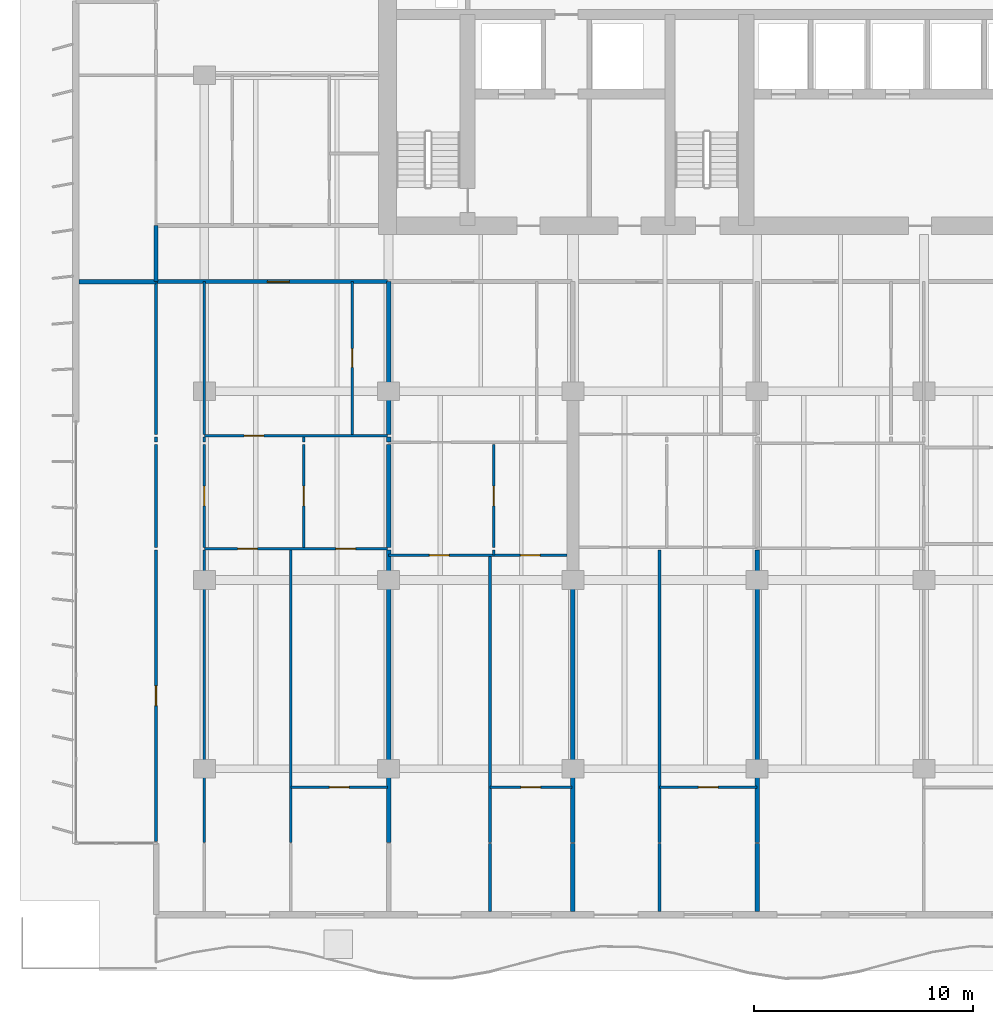
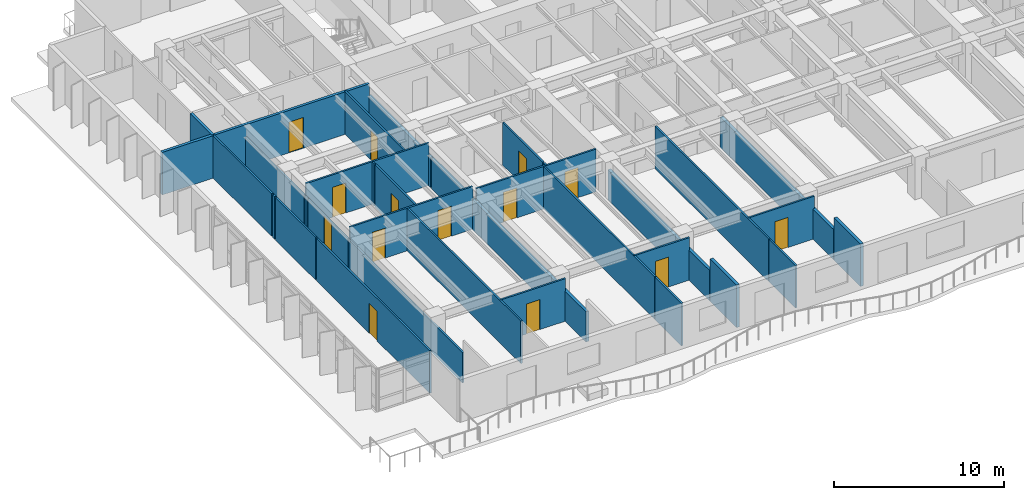
# One storey, part 6 of 17: 35 walls, 14 doors, 14 openings.
"""IFC4 building model written with IfcOpenShell, lengths in metres."""

from ifc_helpers import new_model, si_unit, direction, frame, frame_2d, origin, place, context, subcontext, project, spatial, rectangle, extrude, material, layer, layer_set, type_object, element, fill, save


model = new_model("IFC4")

# Units and contexts
model_context = context("Model", 3, precision=1e-05, world=origin(), true_north=direction((0.0, 1.0)))
body_context = subcontext(model_context, "Body", "Model", "MODEL_VIEW")
ifc_project = project(units=[si_unit("LENGTHUNIT", "METRE"), si_unit("AREAUNIT", "SQUARE_METRE"), si_unit("VOLUMEUNIT", "CUBIC_METRE"), si_unit("PLANEANGLEUNIT", "RADIAN"), si_unit("MASSUNIT", "GRAM", prefix="KILO")], contexts=[model_context])

# Site, building, storey
site_placement = place(None, origin())
site = spatial("IfcSite", under=ifc_project, at=site_placement, CompositionType="ELEMENT")
building_placement = place(site_placement, origin())
building = spatial("IfcBuilding", under=site, at=building_placement, Name="Caelmar Bay Residences", CompositionType="ELEMENT")
storey_placement = place(building_placement, frame((0.0, 0.0, 84.60009765625)))
storey = spatial("IfcBuildingStorey", under=building, at=storey_placement, Name="L22", CompositionType="ELEMENT", Elevation=84.60009765625)

# Wall
ifc_material_1 = material(Name="Double-stud acoustic fire-rated gypsum partition 180 mm")
ifc_layer_1 = layer(ifc_material_1, 0.179931640625)
ifc_layer_set_1 = layer_set([ifc_layer_1], Name="Double-stud acoustic fire-rated gypsum partition 180 mm")
wall_type_1 = type_object("IfcWallType", Name="W-COR-200", PredefinedType="PARTITIONING", material=ifc_layer_set_1)
wall_1_placement = place(storey_placement, frame((7.699951171875, 34.405029296875, 0.0), z_axis=(0.0, 0.0, 1.0), x_axis=(0.0, 1.0, 0.0)))
element("IfcWall", 1, at=wall_1_placement, inside=storey, type_object=wall_type_1, Name="L22 Partition Wall V005", PredefinedType="PARTITIONING", context=body_context, shape_type="SweptSolid", body=[
    extrude(rectangle(XDim=2.544921875, YDim=0.179931640625, at=frame_2d((1.2724609375, 0.0))), origin(), (0.0, 0.0, 1.0), 3.0498046875),
])

# Wall, opening, door
wall_2_placement = place(storey_placement, frame((7.705078125, 34.39990234375, 0.0), z_axis=(0.0, 0.0, 1.0), x_axis=(1.0, 0.0, 0.0)))
wall_2 = element("IfcWall", 2, at=wall_2_placement, inside=storey, type_object=wall_type_1, Name="L22 Partition Wall H130", PredefinedType="PARTITIONING", context=body_context, shape_type="SweptSolid", body=[
    extrude(rectangle(XDim=10.544921875, YDim=0.179931640625, at=frame_2d((5.2724609375, 0.0))), origin(), (0.0, 0.0, 1.0), 3.0498046875),
])
opening_1_placement = place(wall_2_placement, frame((5.070068359375, 0.0, 0.0)))
opening_1 = element("IfcOpeningElement", 3, at=opening_1_placement, cuts=wall_2, Name="Opening D-L22-123", PredefinedType="OPENING", context=body_context, shape_type="SweptSolid", body=[
    extrude(rectangle(XDim=1.0, YDim=2.199951171875, at=frame_2d((0.5, 1.10009765625))), frame((0.0, 0.099853515625, 0.0), z_axis=(0.0, -1.0, 0.0), x_axis=(1.0, 0.0, 0.0)), (0.0, 0.0, 1.0), 0.199951171875),
])
ifc_material_2 = material(Name="Fire-rated steel and walnut architectural door assembly", Category="steel")
ifc_layer_2 = layer(ifc_material_2, 0.050048828125)
ifc_layer_set_2 = layer_set([ifc_layer_2], Name="Fire-rated steel and walnut architectural door assembly")
door_type_1 = type_object("IfcDoorType", Name="D-UNIT-1000", OperationType="NOTDEFINED", PredefinedType="DOOR", material=ifc_layer_set_2)
door_1_placement = place(opening_1_placement, origin())
door_1 = element("IfcDoor", 4, at=door_1_placement, inside=storey, type_object=door_type_1, Name="L22 Residence 01 Apartment Hall Door", OperationType="SINGLE_SWING_RIGHT", OverallHeight=2.199951171875, OverallWidth=1.0, PredefinedType="DOOR", context=body_context, shape_type="SweptSolid", body=[
    extrude(rectangle(XDim=1.0, YDim=2.199951171875, at=frame_2d((0.5, 1.10009765625))), frame((0.0, 0.02490234375, 0.0), z_axis=(0.0, -1.0, 0.0), x_axis=(1.0, 0.0, 0.0)), (0.0, 0.0, 1.0), 0.050048828125),
])
fill(opening_1, door_1)

ifc_material_3 = material(Name="Acoustic metal-stud gypsum partition 120 mm")
ifc_layer_3 = layer(ifc_material_3, 0.1201171875)
ifc_layer_set_3 = layer_set([ifc_layer_3], Name="Acoustic metal-stud gypsum partition 120 mm")
wall_type_2 = type_object("IfcWallType", Name="W-PRT-120", PredefinedType="PARTITIONING", material=ifc_layer_set_3)
wall_3_placement = place(storey_placement, frame((7.699951171875, 8.885009765625, 0.0), z_axis=(0.0, 0.0, 1.0), x_axis=(0.0, 1.0, 0.0)))
wall_3 = element("IfcWall", 5, at=wall_3_placement, inside=storey, type_object=wall_type_2, Name="L22 Partition Wall V001", PredefinedType="PARTITIONING", context=body_context, shape_type="SweptSolid", body=[
    extrude(rectangle(XDim=13.284912109375, YDim=0.1201171875, at=frame_2d((6.642578125, 0.0))), origin(), (0.0, 0.0, 1.0), 3.0498046875),
])
opening_2_placement = place(wall_3_placement, frame((6.1923828125, 0.0, 0.0)))
opening_2 = element("IfcOpeningElement", 6, at=opening_2_placement, cuts=wall_3, Name="Opening D-L22-169", PredefinedType="OPENING", context=body_context, shape_type="SweptSolid", body=[
    extrude(rectangle(XDim=0.89990234375, YDim=2.14990234375, at=frame_2d((0.449951171875, 1.074951171875))), frame((0.0, 0.070068359375, 0.0), z_axis=(0.0, -1.0, 0.0), x_axis=(1.0, 0.0, 0.0)), (0.0, 0.0, 1.0), 0.14013671875),
])
ifc_material_4 = material(Name="Solid walnut timber interior door leaf and frame", Category="wood")
ifc_layer_4 = layer(ifc_material_4, 0.050048828125)
ifc_layer_set_4 = layer_set([ifc_layer_4], Name="Solid walnut timber interior door leaf and frame")
door_type_2 = type_object("IfcDoorType", Name="D-ROOM-900", OperationType="NOTDEFINED", PredefinedType="DOOR", material=ifc_layer_set_4)
door_2_placement = place(opening_2_placement, origin())
door_2 = element("IfcDoor", 7, at=door_2_placement, inside=storey, type_object=door_type_2, Name="L22 Residence 01 Penthouse West Salon Door", OperationType="SINGLE_SWING_RIGHT", OverallHeight=2.14990234375, OverallWidth=0.89990234375, PredefinedType="DOOR", context=body_context, shape_type="SweptSolid", body=[
    extrude(rectangle(XDim=0.89990234375, YDim=2.14990234375, at=frame_2d((0.449951171875, 1.074951171875))), frame((0.0, 0.02490234375, 0.0), z_axis=(0.0, -1.0, 0.0), x_axis=(1.0, 0.0, 0.0)), (0.0, 0.0, 1.0), 0.050048828125),
])
fill(opening_2, door_2)

# Walls
wall_4_placement = place(storey_placement, frame((7.699951171875, 22.2900390625, 0.0), z_axis=(0.0, 0.0, 1.0), x_axis=(0.0, 1.0, 0.0)))
element("IfcWall", 8, at=wall_4_placement, inside=storey, type_object=wall_type_2, Name="L22 Partition Wall V002", PredefinedType="PARTITIONING", context=body_context, shape_type="SweptSolid", body=[
    extrude(rectangle(XDim=4.68994140625, YDim=0.1201171875, at=frame_2d((2.344970703125, 0.0))), origin(), (0.0, 0.0, 1.0), 3.0498046875),
])
wall_5_placement = place(storey_placement, frame((7.699951171875, 27.080078125, 0.0), z_axis=(0.0, 0.0, 1.0), x_axis=(0.0, 1.0, 0.0)))
element("IfcWall", 9, at=wall_5_placement, inside=storey, type_object=wall_type_2, Name="L22 Partition Wall V003", PredefinedType="PARTITIONING", context=body_context, shape_type="SweptSolid", body=[
    extrude(rectangle(XDim=0.239990234375, YDim=0.1201171875, at=frame_2d((0.1201171875, 0.0))), origin(), (0.0, 0.0, 1.0), 3.0498046875),
])
wall_6_placement = place(storey_placement, frame((7.699951171875, 27.43994140625, 0.0), z_axis=(0.0, 0.0, 1.0), x_axis=(0.0, 1.0, 0.0)))
element("IfcWall", 10, at=wall_6_placement, inside=storey, type_object=wall_type_2, Name="L22 Partition Wall V004", PredefinedType="PARTITIONING", context=body_context, shape_type="SweptSolid", body=[
    extrude(rectangle(XDim=6.9599609375, YDim=0.1201171875, at=frame_2d((3.47998046875, 0.0))), origin(), (0.0, 0.0, 1.0), 3.0498046875),
])
wall_7_placement = place(storey_placement, frame((9.89990234375, 8.840087890625, 0.0), z_axis=(0.0, 0.0, 1.0), x_axis=(0.0, 1.0, 0.0)))
element("IfcWall", 11, at=wall_7_placement, inside=storey, type_object=wall_type_2, Name="L22 Partition Wall V009", PredefinedType="PARTITIONING", context=body_context, shape_type="SweptSolid", body=[
    extrude(rectangle(XDim=13.329833984375, YDim=0.1201171875, at=frame_2d((6.6650390625, 0.0))), origin(), (0.0, 0.0, 1.0), 2.173828125),
])

# Wall, opening, door
wall_8_placement = place(storey_placement, frame((9.89990234375, 22.2900390625, 0.0), z_axis=(0.0, 0.0, 1.0), x_axis=(0.0, 1.0, 0.0)))
wall_8 = element("IfcWall", 12, at=wall_8_placement, inside=storey, type_object=wall_type_2, Name="L22 Partition Wall V010", PredefinedType="PARTITIONING", context=body_context, shape_type="SweptSolid", body=[
    extrude(rectangle(XDim=4.68994140625, YDim=0.1201171875, at=frame_2d((2.344970703125, 0.0))), origin(), (0.0, 0.0, 1.0), 2.173828125),
])
opening_3_placement = place(wall_8_placement, frame((1.89501953125, 0.0, 0.0)))
opening_3 = element("IfcOpeningElement", 13, at=opening_3_placement, cuts=wall_8, Name="Opening D-L22-130", PredefinedType="OPENING", context=body_context, shape_type="SweptSolid", body=[
    extrude(rectangle(XDim=0.89990234375, YDim=2.1240234375, at=frame_2d((0.449951171875, 1.06201171875))), frame((0.0, 0.070068359375, 0.0), z_axis=(0.0, -1.0, 0.0), x_axis=(1.0, 0.0, 0.0)), (0.0, 0.0, 1.0), 0.14013671875),
])
door_3_placement = place(opening_3_placement, origin())
door_3 = element("IfcDoor", 14, at=door_3_placement, inside=storey, type_object=door_type_2, Name="L22 Residence 01 West Apartment Hall Door", OperationType="SINGLE_SWING_LEFT", OverallHeight=2.1240234375, OverallWidth=0.89990234375, PredefinedType="DOOR", context=body_context, shape_type="SweptSolid", body=[
    extrude(rectangle(XDim=0.89990234375, YDim=2.1240234375, at=frame_2d((0.449951171875, 1.06201171875))), frame((0.0, 0.02490234375, 0.0), z_axis=(0.0, -1.0, 0.0), x_axis=(1.0, 0.0, 0.0)), (0.0, 0.0, 1.0), 0.050048828125),
])
fill(opening_3, door_3)

# Walls
wall_9_placement = place(storey_placement, frame((9.89990234375, 27.080078125, 0.0), z_axis=(0.0, 0.0, 1.0), x_axis=(0.0, 1.0, 0.0)))
element("IfcWall", 15, at=wall_9_placement, inside=storey, type_object=wall_type_2, Name="L22 Partition Wall V011", PredefinedType="PARTITIONING", context=body_context, shape_type="SweptSolid", body=[
    extrude(rectangle(XDim=0.239990234375, YDim=0.1201171875, at=frame_2d((0.1201171875, 0.0))), origin(), (0.0, 0.0, 1.0), 2.173828125),
])
wall_10_placement = place(storey_placement, frame((9.89990234375, 27.43994140625, 0.0), z_axis=(0.0, 0.0, 1.0), x_axis=(0.0, 1.0, 0.0)))
element("IfcWall", 16, at=wall_10_placement, inside=storey, type_object=wall_type_2, Name="L22 Partition Wall V012", PredefinedType="PARTITIONING", context=body_context, shape_type="SweptSolid", body=[
    extrude(rectangle(XDim=6.9599609375, YDim=0.1201171875, at=frame_2d((3.47998046875, 0.0))), origin(), (0.0, 0.0, 1.0), 2.173828125),
])
wall_11_placement = place(storey_placement, frame((13.847900390625, 8.840087890625, 0.0), z_axis=(0.0, 0.0, 1.0), x_axis=(0.0, 1.0, 0.0)))
element("IfcWall", 17, at=wall_11_placement, inside=storey, type_object=wall_type_2, Name="L22 Partition Wall V015", PredefinedType="PARTITIONING", context=body_context, shape_type="SweptSolid", body=[
    extrude(rectangle(XDim=13.329833984375, YDim=0.1201171875, at=frame_2d((6.6650390625, 0.0))), origin(), (0.0, 0.0, 1.0), 3.0498046875),
])

# Wall, opening, door
wall_12_placement = place(storey_placement, frame((14.43603515625, 22.2900390625, 0.0), z_axis=(0.0, 0.0, 1.0), x_axis=(0.0, 1.0, 0.0)))
wall_12 = element("IfcWall", 18, at=wall_12_placement, inside=storey, type_object=wall_type_2, Name="L22 Partition Wall V016", PredefinedType="PARTITIONING", context=body_context, shape_type="SweptSolid", body=[
    extrude(rectangle(XDim=4.68994140625, YDim=0.1201171875, at=frame_2d((2.344970703125, 0.0))), origin(), (0.0, 0.0, 1.0), 3.0498046875),
])
opening_4_placement = place(wall_12_placement, frame((1.89501953125, 0.0, 0.0)))
opening_4 = element("IfcOpeningElement", 19, at=opening_4_placement, cuts=wall_12, Name="Opening D-L22-126", PredefinedType="OPENING", context=body_context, shape_type="SweptSolid", body=[
    extrude(rectangle(XDim=0.89990234375, YDim=2.14990234375, at=frame_2d((0.449951171875, 1.074951171875))), frame((0.0, 0.070068359375, 0.0), z_axis=(0.0, -1.0, 0.0), x_axis=(1.0, 0.0, 0.0)), (0.0, 0.0, 1.0), 0.14013671875),
])
door_4_placement = place(opening_4_placement, origin())
door_4 = element("IfcDoor", 20, at=door_4_placement, inside=storey, type_object=door_type_2, Name="L22 Residence 01 Study Door", OperationType="SINGLE_SWING_LEFT", OverallHeight=2.14990234375, OverallWidth=0.89990234375, PredefinedType="DOOR", context=body_context, shape_type="SweptSolid", body=[
    extrude(rectangle(XDim=0.89990234375, YDim=2.14990234375, at=frame_2d((0.449951171875, 1.074951171875))), frame((0.0, 0.02490234375, 0.0), z_axis=(0.0, -1.0, 0.0), x_axis=(1.0, 0.0, 0.0)), (0.0, 0.0, 1.0), 0.050048828125),
])
fill(opening_4, door_4)

# Wall
wall_13_placement = place(storey_placement, frame((14.43603515625, 27.080078125, 0.0), z_axis=(0.0, 0.0, 1.0), x_axis=(0.0, 1.0, 0.0)))
element("IfcWall", 21, at=wall_13_placement, inside=storey, type_object=wall_type_2, Name="L22 Partition Wall V017", PredefinedType="PARTITIONING", context=body_context, shape_type="SweptSolid", body=[
    extrude(rectangle(XDim=0.239990234375, YDim=0.1201171875, at=frame_2d((0.1201171875, 0.0))), origin(), (0.0, 0.0, 1.0), 3.0498046875),
])

# Wall, opening, door
wall_14_placement = place(storey_placement, frame((16.64990234375, 27.43994140625, 0.0), z_axis=(0.0, 0.0, 1.0), x_axis=(0.0, 1.0, 0.0)))
wall_14 = element("IfcWall", 22, at=wall_14_placement, inside=storey, type_object=wall_type_2, Name="L22 Partition Wall V019", PredefinedType="PARTITIONING", context=body_context, shape_type="SweptSolid", body=[
    extrude(rectangle(XDim=6.9599609375, YDim=0.1201171875, at=frame_2d((3.47998046875, 0.0))), origin(), (0.0, 0.0, 1.0), 3.0498046875),
])
opening_5_placement = place(wall_14_placement, frame((3.054931640625, 0.0, 0.0)))
opening_5 = element("IfcOpeningElement", 23, at=opening_5_placement, cuts=wall_14, Name="Opening D-L22-124", PredefinedType="OPENING", context=body_context, shape_type="SweptSolid", body=[
    extrude(rectangle(XDim=0.85009765625, YDim=2.10009765625, at=frame_2d((0.425048828125, 1.050048828125))), frame((0.0, 0.070068359375, 0.0), z_axis=(0.0, -1.0, 0.0), x_axis=(1.0, 0.0, 0.0)), (0.0, 0.0, 1.0), 0.14013671875),
])
ifc_layer_5 = layer(ifc_material_4, 0.050048828125)
ifc_layer_set_5 = layer_set([ifc_layer_5], Name="Solid walnut timber interior door leaf and frame")
door_type_3 = type_object("IfcDoorType", Name="D-BATH-850", OperationType="NOTDEFINED", PredefinedType="DOOR", material=ifc_layer_set_5)
door_5_placement = place(opening_5_placement, origin())
door_5 = element("IfcDoor", 24, at=door_5_placement, inside=storey, type_object=door_type_3, Name="L22 Residence 01 Bathroom Door", OperationType="SINGLE_SWING_LEFT", OverallHeight=2.10009765625, OverallWidth=0.85009765625, PredefinedType="DOOR", context=body_context, shape_type="SweptSolid", body=[
    extrude(rectangle(XDim=0.85009765625, YDim=2.10009765625, at=frame_2d((0.425048828125, 1.050048828125))), frame((0.0, 0.02490234375, 0.0), z_axis=(0.0, -1.0, 0.0), x_axis=(1.0, 0.0, 0.0)), (0.0, 0.0, 1.0), 0.050048828125),
])
fill(opening_5, door_5)

# Walls
wall_15_placement = place(storey_placement, frame((22.919921875, 5.695068359375, 0.0), z_axis=(0.0, 0.0, 1.0), x_axis=(0.0, 1.0, 0.0)))
element("IfcWall", 25, at=wall_15_placement, inside=storey, type_object=wall_type_2, Name="L22 Partition Wall V026", PredefinedType="PARTITIONING", context=body_context, shape_type="SweptSolid", body=[
    extrude(rectangle(XDim=3.10498046875, YDim=0.1201171875, at=frame_2d((1.552490234375, 0.0))), origin(), (0.0, 0.0, 1.0), 3.0498046875),
])
wall_16_placement = place(storey_placement, frame((22.919921875, 8.840087890625, 0.0), z_axis=(0.0, 0.0, 1.0), x_axis=(0.0, 1.0, 0.0)))
element("IfcWall", 26, at=wall_16_placement, inside=storey, type_object=wall_type_2, Name="L22 Partition Wall V027", PredefinedType="PARTITIONING", context=body_context, shape_type="SweptSolid", body=[
    extrude(rectangle(XDim=13.08984375, YDim=0.1201171875, at=frame_2d((6.544921875, 0.0))), origin(), (0.0, 0.0, 1.0), 3.0498046875),
])
wall_17_placement = place(storey_placement, frame((23.0859375, 21.93505859375, 0.0), z_axis=(0.0, 0.0, 1.0), x_axis=(0.0, 1.0, 0.0)))
element("IfcWall", 27, at=wall_17_placement, inside=storey, type_object=wall_type_2, Name="L22 Partition Wall V028", PredefinedType="PARTITIONING", context=body_context, shape_type="SweptSolid", body=[
    extrude(rectangle(XDim=0.23486328125, YDim=0.1201171875, at=frame_2d((0.117431640625, 0.0))), origin(), (0.0, 0.0, 1.0), 3.0498046875),
])

# Wall, opening, door
wall_18_placement = place(storey_placement, frame((23.0859375, 22.2900390625, 0.0), z_axis=(0.0, 0.0, 1.0), x_axis=(0.0, 1.0, 0.0)))
wall_18 = element("IfcWall", 28, at=wall_18_placement, inside=storey, type_object=wall_type_2, Name="L22 Partition Wall V029", PredefinedType="PARTITIONING", context=body_context, shape_type="SweptSolid", body=[
    extrude(rectangle(XDim=4.68994140625, YDim=0.1201171875, at=frame_2d((2.344970703125, 0.0))), origin(), (0.0, 0.0, 1.0), 3.0498046875),
])
opening_6_placement = place(wall_18_placement, frame((1.89501953125, 0.0, 0.0)))
opening_6 = element("IfcOpeningElement", 29, at=opening_6_placement, cuts=wall_18, Name="Opening D-L22-134", PredefinedType="OPENING", context=body_context, shape_type="SweptSolid", body=[
    extrude(rectangle(XDim=0.89990234375, YDim=2.14990234375, at=frame_2d((0.449951171875, 1.074951171875))), frame((0.0, 0.070068359375, 0.0), z_axis=(0.0, -1.0, 0.0), x_axis=(1.0, 0.0, 0.0)), (0.0, 0.0, 1.0), 0.14013671875),
])
door_6_placement = place(opening_6_placement, origin())
door_6 = element("IfcDoor", 30, at=door_6_placement, inside=storey, type_object=door_type_2, Name="L22 Residence 02 Study Door", OperationType="SINGLE_SWING_LEFT", OverallHeight=2.14990234375, OverallWidth=0.89990234375, PredefinedType="DOOR", context=body_context, shape_type="SweptSolid", body=[
    extrude(rectangle(XDim=0.89990234375, YDim=2.14990234375, at=frame_2d((0.449951171875, 1.074951171875))), frame((0.0, 0.02490234375, 0.0), z_axis=(0.0, -1.0, 0.0), x_axis=(1.0, 0.0, 0.0)), (0.0, 0.0, 1.0), 0.050048828125),
])
fill(opening_6, door_6)

# Walls
wall_19_placement = place(storey_placement, frame((30.64794921875, 5.695068359375, 0.0), z_axis=(0.0, 0.0, 1.0), x_axis=(0.0, 1.0, 0.0)))
element("IfcWall", 31, at=wall_19_placement, inside=storey, type_object=wall_type_2, Name="L22 Partition Wall V039", PredefinedType="PARTITIONING", context=body_context, shape_type="SweptSolid", body=[
    extrude(rectangle(XDim=3.10498046875, YDim=0.1201171875, at=frame_2d((1.552490234375, 0.0))), origin(), (0.0, 0.0, 1.0), 3.0498046875),
])
wall_20_placement = place(storey_placement, frame((30.64794921875, 8.840087890625, 0.0), z_axis=(0.0, 0.0, 1.0), x_axis=(0.0, 1.0, 0.0)))
element("IfcWall", 32, at=wall_20_placement, inside=storey, type_object=wall_type_2, Name="L22 Partition Wall V040", PredefinedType="PARTITIONING", context=body_context, shape_type="SweptSolid", body=[
    extrude(rectangle(XDim=13.329833984375, YDim=0.1201171875, at=frame_2d((6.6650390625, 0.0))), origin(), (0.0, 0.0, 1.0), 3.0498046875),
])

# Wall, opening, door
wall_21_placement = place(storey_placement, frame((13.847900390625, 11.35009765625, 0.0), z_axis=(0.0, 0.0, 1.0), x_axis=(1.0, 0.0, 0.0)))
wall_21 = element("IfcWall", 33, at=wall_21_placement, inside=storey, type_object=wall_type_2, Name="L22 Partition Wall H106", PredefinedType="PARTITIONING", context=body_context, shape_type="SweptSolid", body=[
    extrude(rectangle(XDim=4.402099609375, YDim=0.1201171875, at=frame_2d((2.201171875, 0.0))), origin(), (0.0, 0.0, 1.0), 3.0498046875),
])
opening_7_placement = place(wall_21_placement, frame((1.7509765625, 0.0, 0.0)))
opening_7 = element("IfcOpeningElement", 34, at=opening_7_placement, cuts=wall_21, Name="Opening D-L22-129", PredefinedType="OPENING", context=body_context, shape_type="SweptSolid", body=[
    extrude(rectangle(XDim=0.89990234375, YDim=2.14990234375, at=frame_2d((0.449951171875, 1.074951171875))), frame((0.0, 0.070068359375, 0.0), z_axis=(0.0, -1.0, 0.0), x_axis=(1.0, 0.0, 0.0)), (0.0, 0.0, 1.0), 0.14013671875),
])
door_7_placement = place(opening_7_placement, origin())
door_7 = element("IfcDoor", 35, at=door_7_placement, inside=storey, type_object=door_type_2, Name="L22 Residence 01 Primary Bedroom Door", OperationType="SINGLE_SWING_RIGHT", OverallHeight=2.14990234375, OverallWidth=0.89990234375, PredefinedType="DOOR", context=body_context, shape_type="SweptSolid", body=[
    extrude(rectangle(XDim=0.89990234375, YDim=2.14990234375, at=frame_2d((0.449951171875, 1.074951171875))), frame((0.0, 0.02490234375, 0.0), z_axis=(0.0, -1.0, 0.0), x_axis=(1.0, 0.0, 0.0)), (0.0, 0.0, 1.0), 0.050048828125),
])
fill(opening_7, door_7)

wall_22_placement = place(storey_placement, frame((22.919921875, 11.35009765625, 0.0), z_axis=(0.0, 0.0, 1.0), x_axis=(1.0, 0.0, 0.0)))
wall_22 = element("IfcWall", 36, at=wall_22_placement, inside=storey, type_object=wall_type_2, Name="L22 Partition Wall H107", PredefinedType="PARTITIONING", context=body_context, shape_type="SweptSolid", body=[
    extrude(rectangle(XDim=3.72998046875, YDim=0.1201171875, at=frame_2d((1.864990234375, 0.0))), origin(), (0.0, 0.0, 1.0), 3.0498046875),
])
opening_8_placement = place(wall_22_placement, frame((1.4150390625, 0.0, 0.0)))
opening_8 = element("IfcOpeningElement", 37, at=opening_8_placement, cuts=wall_22, Name="Opening D-L22-137", PredefinedType="OPENING", context=body_context, shape_type="SweptSolid", body=[
    extrude(rectangle(XDim=0.89990234375, YDim=2.14990234375, at=frame_2d((0.449951171875, 1.074951171875))), frame((0.0, 0.070068359375, 0.0), z_axis=(0.0, -1.0, 0.0), x_axis=(1.0, 0.0, 0.0)), (0.0, 0.0, 1.0), 0.14013671875),
])
door_8_placement = place(opening_8_placement, origin())
door_8 = element("IfcDoor", 38, at=door_8_placement, inside=storey, type_object=door_type_2, Name="L22 Residence 02 Primary Bedroom Door", OperationType="SINGLE_SWING_RIGHT", OverallHeight=2.14990234375, OverallWidth=0.89990234375, PredefinedType="DOOR", context=body_context, shape_type="SweptSolid", body=[
    extrude(rectangle(XDim=0.89990234375, YDim=2.14990234375, at=frame_2d((0.449951171875, 1.074951171875))), frame((0.0, 0.02490234375, 0.0), z_axis=(0.0, -1.0, 0.0), x_axis=(1.0, 0.0, 0.0)), (0.0, 0.0, 1.0), 0.050048828125),
])
fill(opening_8, door_8)

wall_23_placement = place(storey_placement, frame((30.64794921875, 11.35009765625, 0.0), z_axis=(0.0, 0.0, 1.0), x_axis=(1.0, 0.0, 0.0)))
wall_23 = element("IfcWall", 39, at=wall_23_placement, inside=storey, type_object=wall_type_2, Name="L22 Partition Wall H108", PredefinedType="PARTITIONING", context=body_context, shape_type="SweptSolid", body=[
    extrude(rectangle(XDim=4.4521484375, YDim=0.1201171875, at=frame_2d((2.22607421875, 0.0))), origin(), (0.0, 0.0, 1.0), 3.0498046875),
])
opening_9_placement = place(wall_23_placement, frame((1.77587890625, 0.0, 0.0)))
opening_9 = element("IfcOpeningElement", 40, at=opening_9_placement, cuts=wall_23, Name="Opening D-L22-144", PredefinedType="OPENING", context=body_context, shape_type="SweptSolid", body=[
    extrude(rectangle(XDim=0.89990234375, YDim=2.14990234375, at=frame_2d((0.449951171875, 1.074951171875))), frame((0.0, 0.070068359375, 0.0), z_axis=(0.0, -1.0, 0.0), x_axis=(1.0, 0.0, 0.0)), (0.0, 0.0, 1.0), 0.14013671875),
])
door_9_placement = place(opening_9_placement, origin())
door_9 = element("IfcDoor", 41, at=door_9_placement, inside=storey, type_object=door_type_2, Name="L22 Residence 03 Primary Bedroom Door", OperationType="SINGLE_SWING_LEFT", OverallHeight=2.14990234375, OverallWidth=0.89990234375, PredefinedType="DOOR", context=body_context, shape_type="SweptSolid", body=[
    extrude(rectangle(XDim=0.89990234375, YDim=2.14990234375, at=frame_2d((0.449951171875, 1.074951171875))), frame((0.0, 0.02490234375, 0.0), z_axis=(0.0, -1.0, 0.0), x_axis=(1.0, 0.0, 0.0)), (0.0, 0.0, 1.0), 0.050048828125),
])
fill(opening_9, door_9)

# Wall, openings, doors
wall_24_placement = place(storey_placement, frame((18.300048828125, 21.929931640625, 0.0), z_axis=(0.0, 0.0, 1.0), x_axis=(1.0, 0.0, 0.0)))
wall_24 = element("IfcWall", 42, at=wall_24_placement, inside=storey, type_object=wall_type_2, Name="L22 Partition Wall H114", PredefinedType="PARTITIONING", context=body_context, shape_type="SweptSolid", body=[
    extrude(rectangle(XDim=8.1298828125, YDim=0.1201171875, at=frame_2d((4.06494140625, 0.0))), origin(), (0.0, 0.0, 1.0), 3.0498046875),
])
opening_10_placement = place(wall_24_placement, frame((1.860107421875, 0.0, 0.0)))
opening_10 = element("IfcOpeningElement", 43, at=opening_10_placement, cuts=wall_24, Name="Opening D-L22-135", PredefinedType="OPENING", context=body_context, shape_type="SweptSolid", body=[
    extrude(rectangle(XDim=0.89990234375, YDim=2.14990234375, at=frame_2d((0.449951171875, 1.074951171875))), frame((0.0, 0.070068359375, 0.0), z_axis=(0.0, -1.0, 0.0), x_axis=(1.0, 0.0, 0.0)), (0.0, 0.0, 1.0), 0.14013671875),
])
opening_11_placement = place(wall_24_placement, frame((6.008056640625, 0.0, 0.0)))
opening_11 = element("IfcOpeningElement", 44, at=opening_11_placement, cuts=wall_24, Name="Opening D-L22-136", PredefinedType="OPENING", context=body_context, shape_type="SweptSolid", body=[
    extrude(rectangle(XDim=0.89990234375, YDim=2.14990234375, at=frame_2d((0.449951171875, 1.074951171875))), frame((0.0, 0.070068359375, 0.0), z_axis=(0.0, -1.0, 0.0), x_axis=(1.0, 0.0, 0.0)), (0.0, 0.0, 1.0), 0.14013671875),
])
door_10_placement = place(opening_10_placement, origin())
door_10 = element("IfcDoor", 45, at=door_10_placement, inside=storey, type_object=door_type_2, Name="L22 Residence 02 Living Room Door", OperationType="SINGLE_SWING_RIGHT", OverallHeight=2.14990234375, OverallWidth=0.89990234375, PredefinedType="DOOR", context=body_context, shape_type="SweptSolid", body=[
    extrude(rectangle(XDim=0.89990234375, YDim=2.14990234375, at=frame_2d((0.449951171875, 1.074951171875))), frame((0.0, 0.02490234375, 0.0), z_axis=(0.0, -1.0, 0.0), x_axis=(1.0, 0.0, 0.0)), (0.0, 0.0, 1.0), 0.050048828125),
])
fill(opening_10, door_10)
door_11_placement = place(opening_11_placement, origin())
door_11 = element("IfcDoor", 46, at=door_11_placement, inside=storey, type_object=door_type_2, Name="L22 Residence 02 Penthouse Sitting Room Door", OperationType="SINGLE_SWING_LEFT", OverallHeight=2.14990234375, OverallWidth=0.89990234375, PredefinedType="DOOR", context=body_context, shape_type="SweptSolid", body=[
    extrude(rectangle(XDim=0.89990234375, YDim=2.14990234375, at=frame_2d((0.449951171875, 1.074951171875))), frame((0.0, 0.02490234375, 0.0), z_axis=(0.0, -1.0, 0.0), x_axis=(1.0, 0.0, 0.0)), (0.0, 0.0, 1.0), 0.050048828125),
])
fill(opening_11, door_11)

wall_25_placement = place(storey_placement, frame((9.89990234375, 22.22998046875, 0.0), z_axis=(0.0, 0.0, 1.0), x_axis=(1.0, 0.0, 0.0)))
wall_25 = element("IfcWall", 47, at=wall_25_placement, inside=storey, type_object=wall_type_2, Name="L22 Partition Wall H117", PredefinedType="PARTITIONING", context=body_context, shape_type="SweptSolid", body=[
    extrude(rectangle(XDim=8.35009765625, YDim=0.1201171875, at=frame_2d((4.175048828125, 0.0))), origin(), (0.0, 0.0, 1.0), 3.0498046875),
])
opening_12_placement = place(wall_25_placement, frame((1.52392578125, 0.0, 0.0)))
opening_12 = element("IfcOpeningElement", 48, at=opening_12_placement, cuts=wall_25, Name="Opening D-L22-127", PredefinedType="OPENING", context=body_context, shape_type="SweptSolid", body=[
    extrude(rectangle(XDim=0.89990234375, YDim=2.14990234375, at=frame_2d((0.449951171875, 1.074951171875))), frame((0.0, 0.070068359375, 0.0), z_axis=(0.0, -1.0, 0.0), x_axis=(1.0, 0.0, 0.0)), (0.0, 0.0, 1.0), 0.14013671875),
])
opening_13_placement = place(wall_25_placement, frame((5.992919921875, 0.0, 0.0)))
opening_13 = element("IfcOpeningElement", 49, at=opening_13_placement, cuts=wall_25, Name="Opening D-L22-128", PredefinedType="OPENING", context=body_context, shape_type="SweptSolid", body=[
    extrude(rectangle(XDim=0.89990234375, YDim=2.14990234375, at=frame_2d((0.449951171875, 1.074951171875))), frame((0.0, 0.070068359375, 0.0), z_axis=(0.0, -1.0, 0.0), x_axis=(1.0, 0.0, 0.0)), (0.0, 0.0, 1.0), 0.14013671875),
])
door_12_placement = place(opening_12_placement, origin())
door_12 = element("IfcDoor", 50, at=door_12_placement, inside=storey, type_object=door_type_2, Name="L22 Residence 01 Living Room Door", OperationType="SINGLE_SWING_RIGHT", OverallHeight=2.14990234375, OverallWidth=0.89990234375, PredefinedType="DOOR", context=body_context, shape_type="SweptSolid", body=[
    extrude(rectangle(XDim=0.89990234375, YDim=2.14990234375, at=frame_2d((0.449951171875, 1.074951171875))), frame((0.0, 0.02490234375, 0.0), z_axis=(0.0, -1.0, 0.0), x_axis=(1.0, 0.0, 0.0)), (0.0, 0.0, 1.0), 0.050048828125),
])
fill(opening_12, door_12)
door_13_placement = place(opening_13_placement, origin())
door_13 = element("IfcDoor", 51, at=door_13_placement, inside=storey, type_object=door_type_2, Name="L22 Residence 01 Penthouse Sitting Room Door", OperationType="SINGLE_SWING_LEFT", OverallHeight=2.14990234375, OverallWidth=0.89990234375, PredefinedType="DOOR", context=body_context, shape_type="SweptSolid", body=[
    extrude(rectangle(XDim=0.89990234375, YDim=2.14990234375, at=frame_2d((0.449951171875, 1.074951171875))), frame((0.0, 0.02490234375, 0.0), z_axis=(0.0, -1.0, 0.0), x_axis=(1.0, 0.0, 0.0)), (0.0, 0.0, 1.0), 0.050048828125),
])
fill(opening_13, door_13)

# Wall, opening, door
wall_26_placement = place(storey_placement, frame((9.89990234375, 27.3798828125, 0.0), z_axis=(0.0, 0.0, 1.0), x_axis=(1.0, 0.0, 0.0)))
wall_26 = element("IfcWall", 52, at=wall_26_placement, inside=storey, type_object=wall_type_2, Name="L22 Partition Wall H127", PredefinedType="PARTITIONING", context=body_context, shape_type="SweptSolid", body=[
    extrude(rectangle(XDim=8.35009765625, YDim=0.1201171875, at=frame_2d((4.175048828125, 0.0))), origin(), (0.0, 0.0, 1.0), 3.0498046875),
])
opening_14_placement = place(wall_26_placement, frame((1.818115234375, 0.0, 0.0)))
opening_14 = element("IfcOpeningElement", 53, at=opening_14_placement, cuts=wall_26, Name="Opening D-L22-125", PredefinedType="OPENING", context=body_context, shape_type="SweptSolid", body=[
    extrude(rectangle(XDim=0.89990234375, YDim=2.14990234375, at=frame_2d((0.449951171875, 1.074951171875))), frame((0.0, 0.070068359375, 0.0), z_axis=(0.0, -1.0, 0.0), x_axis=(1.0, 0.0, 0.0)), (0.0, 0.0, 1.0), 0.14013671875),
])
door_14_placement = place(opening_14_placement, origin())
door_14 = element("IfcDoor", 54, at=door_14_placement, inside=storey, type_object=door_type_2, Name="L22 Residence 01 Kitchen Door", OperationType="SINGLE_SWING_RIGHT", OverallHeight=2.14990234375, OverallWidth=0.89990234375, PredefinedType="DOOR", context=body_context, shape_type="SweptSolid", body=[
    extrude(rectangle(XDim=0.89990234375, YDim=2.14990234375, at=frame_2d((0.449951171875, 1.074951171875))), frame((0.0, 0.02490234375, 0.0), z_axis=(0.0, -1.0, 0.0), x_axis=(1.0, 0.0, 0.0)), (0.0, 0.0, 1.0), 0.050048828125),
])
fill(opening_14, door_14)

# Walls
ifc_material_5 = material(Name="Acoustic twin-stud fire-rated inter-tenancy partition 200 mm")
ifc_layer_6 = layer(ifc_material_5, 0.199951171875)
ifc_layer_set_6 = layer_set([ifc_layer_6], Name="Acoustic twin-stud fire-rated inter-tenancy partition 200 mm")
wall_type_3 = type_object("IfcWallType", Name="W-PTY-200", PredefinedType="PARTITIONING", material=ifc_layer_set_6)
wall_27_placement = place(storey_placement, frame((18.300048828125, 8.840087890625, 0.0), z_axis=(0.0, 0.0, 1.0), x_axis=(0.0, 1.0, 0.0)))
element("IfcWall", 55, at=wall_27_placement, inside=storey, type_object=wall_type_3, Name="L22 Partition Wall V021", PredefinedType="PARTITIONING", context=body_context, shape_type="SweptSolid", body=[
    extrude(rectangle(XDim=13.329833984375, YDim=0.199951171875, at=frame_2d((6.6650390625, 0.0))), origin(), (0.0, 0.0, 1.0), 2.173828125),
])
wall_28_placement = place(storey_placement, frame((18.300048828125, 22.2900390625, 0.0), z_axis=(0.0, 0.0, 1.0), x_axis=(0.0, 1.0, 0.0)))
element("IfcWall", 56, at=wall_28_placement, inside=storey, type_object=wall_type_3, Name="L22 Partition Wall V022", PredefinedType="PARTITIONING", context=body_context, shape_type="SweptSolid", body=[
    extrude(rectangle(XDim=4.68994140625, YDim=0.199951171875, at=frame_2d((2.344970703125, 0.0))), origin(), (0.0, 0.0, 1.0), 2.173828125),
])
wall_29_placement = place(storey_placement, frame((18.300048828125, 27.080078125, 0.0), z_axis=(0.0, 0.0, 1.0), x_axis=(0.0, 1.0, 0.0)))
element("IfcWall", 57, at=wall_29_placement, inside=storey, type_object=wall_type_3, Name="L22 Partition Wall V023", PredefinedType="PARTITIONING", context=body_context, shape_type="SweptSolid", body=[
    extrude(rectangle(XDim=0.239990234375, YDim=0.199951171875, at=frame_2d((0.1201171875, 0.0))), origin(), (0.0, 0.0, 1.0), 2.173828125),
])
wall_30_placement = place(storey_placement, frame((18.300048828125, 27.43994140625, 0.0), z_axis=(0.0, 0.0, 1.0), x_axis=(0.0, 1.0, 0.0)))
element("IfcWall", 58, at=wall_30_placement, inside=storey, type_object=wall_type_3, Name="L22 Partition Wall V024", PredefinedType="PARTITIONING", context=body_context, shape_type="SweptSolid", body=[
    extrude(rectangle(XDim=6.9599609375, YDim=0.199951171875, at=frame_2d((3.47998046875, 0.0))), origin(), (0.0, 0.0, 1.0), 2.173828125),
])
wall_31_placement = place(storey_placement, frame((26.699951171875, 5.695068359375, 0.0), z_axis=(0.0, 0.0, 1.0), x_axis=(0.0, 1.0, 0.0)))
element("IfcWall", 59, at=wall_31_placement, inside=storey, type_object=wall_type_3, Name="L22 Partition Wall V034", PredefinedType="PARTITIONING", context=body_context, shape_type="SweptSolid", body=[
    extrude(rectangle(XDim=3.10498046875, YDim=0.199951171875, at=frame_2d((1.552490234375, 0.0))), origin(), (0.0, 0.0, 1.0), 3.0498046875),
])
wall_32_placement = place(storey_placement, frame((26.699951171875, 8.840087890625, 0.0), z_axis=(0.0, 0.0, 1.0), x_axis=(0.0, 1.0, 0.0)))
element("IfcWall", 60, at=wall_32_placement, inside=storey, type_object=wall_type_3, Name="L22 Partition Wall V035", PredefinedType="PARTITIONING", context=body_context, shape_type="SweptSolid", body=[
    extrude(rectangle(XDim=11.954833984375, YDim=0.199951171875, at=frame_2d((5.9775390625, 0.0))), origin(), (0.0, 0.0, 1.0), 2.173828125),
])
wall_33_placement = place(storey_placement, frame((35.10009765625, 5.695068359375, 0.0), z_axis=(0.0, 0.0, 1.0), x_axis=(0.0, 1.0, 0.0)))
element("IfcWall", 61, at=wall_33_placement, inside=storey, type_object=wall_type_3, Name="L22 Partition Wall V045", PredefinedType="PARTITIONING", context=body_context, shape_type="SweptSolid", body=[
    extrude(rectangle(XDim=3.10498046875, YDim=0.199951171875, at=frame_2d((1.552490234375, 0.0))), origin(), (0.0, 0.0, 1.0), 3.0498046875),
])
wall_34_placement = place(storey_placement, frame((35.10009765625, 8.840087890625, 0.0), z_axis=(0.0, 0.0, 1.0), x_axis=(0.0, 1.0, 0.0)))
element("IfcWall", 62, at=wall_34_placement, inside=storey, type_object=wall_type_3, Name="L22 Partition Wall V046", PredefinedType="PARTITIONING", context=body_context, shape_type="SweptSolid", body=[
    extrude(rectangle(XDim=13.329833984375, YDim=0.199951171875, at=frame_2d((6.6650390625, 0.0))), origin(), (0.0, 0.0, 1.0), 2.173828125),
])
wall_35_placement = place(storey_placement, frame((4.195068359375, 34.39990234375, 0.0), z_axis=(0.0, 0.0, 1.0), x_axis=(1.0, 0.0, 0.0)))
element("IfcWall", 63, at=wall_35_placement, inside=storey, type_object=wall_type_3, Name="L22 Partition Wall H129", PredefinedType="PARTITIONING", context=body_context, shape_type="SweptSolid", body=[
    extrude(rectangle(XDim=3.5048828125, YDim=0.199951171875, at=frame_2d((1.75244140625, 0.0))), origin(), (0.0, 0.0, 1.0), 3.0498046875),
])

save(model, "model.ifc")
